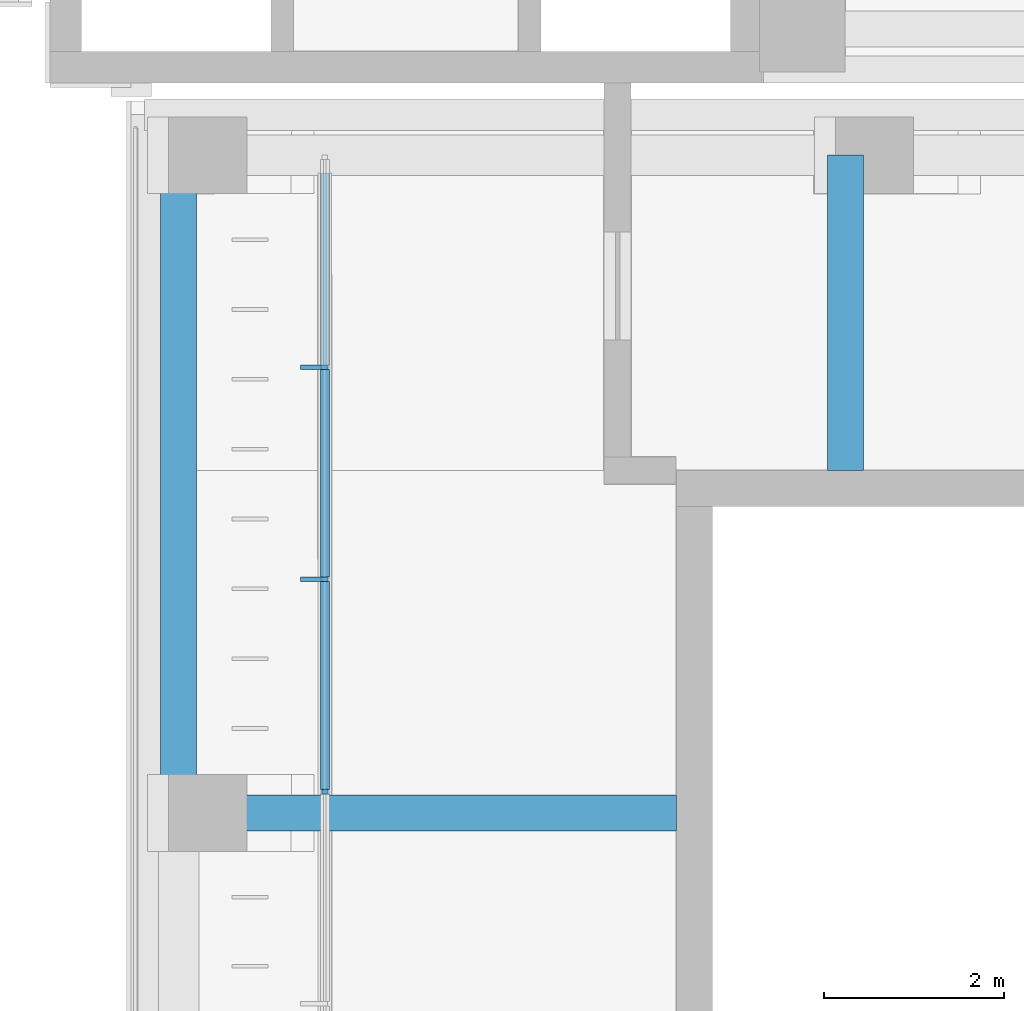
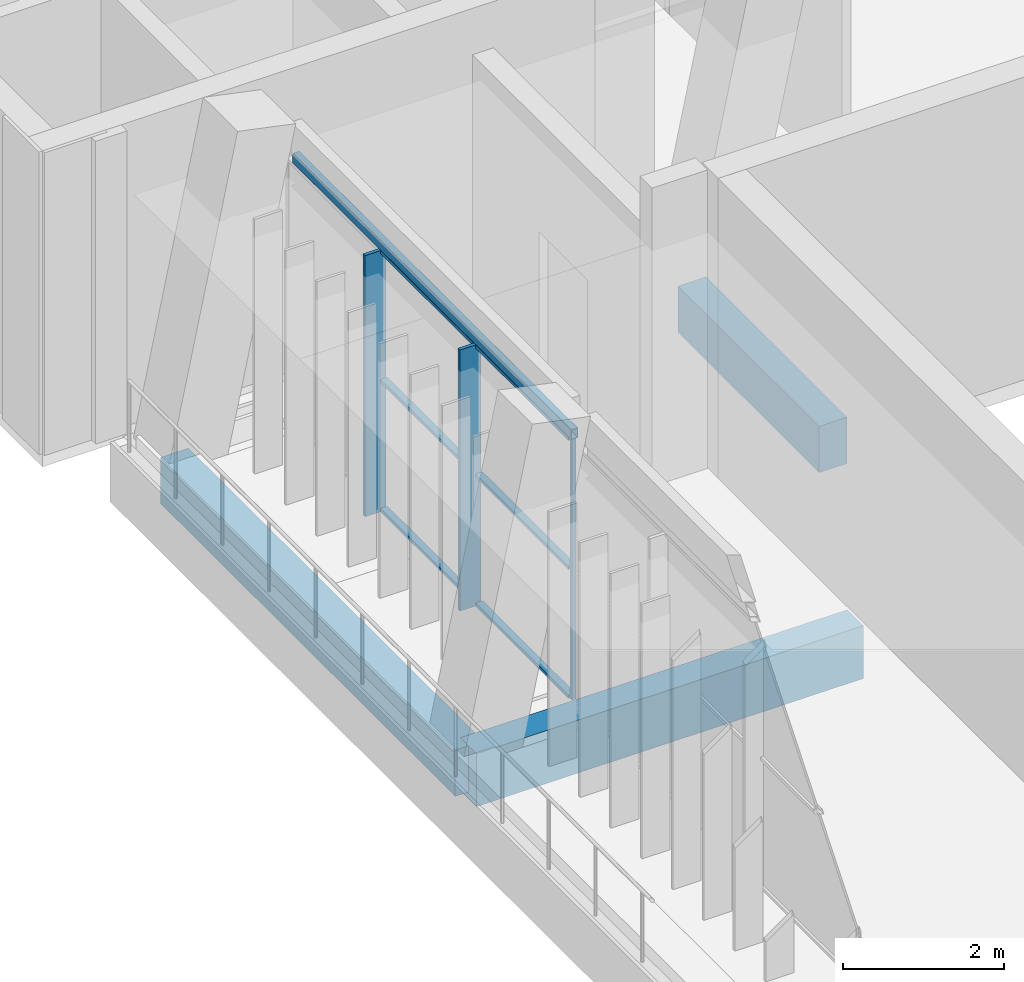
# One storey, part 42 of 92: 9 members, 4 beams, 1 element without a shape of its own.
"""IFC4 building model written with IfcOpenShell, lengths in metres."""

from ifc_helpers import new_model, si_unit, direction, frame, origin, origin_2d, place, context, subcontext, project, spatial, rectangle, hollow_rectangle, extrude, material, material_profile, profile_set, type_object, element, aggregate, save


model = new_model("IFC4")

# Units and contexts
model_context = context("Model", 3, precision=1e-05, world=origin(), true_north=direction((0.0, 1.0)))
body_context = subcontext(model_context, "Body", "Model", "MODEL_VIEW")
ifc_project = project(units=[si_unit("LENGTHUNIT", "METRE"), si_unit("AREAUNIT", "SQUARE_METRE"), si_unit("VOLUMEUNIT", "CUBIC_METRE"), si_unit("PLANEANGLEUNIT", "RADIAN"), si_unit("MASSUNIT", "GRAM", prefix="KILO")], contexts=[model_context])

# Site, building, storey
site_placement = place(None, origin())
site = spatial("IfcSite", under=ifc_project, at=site_placement, CompositionType="ELEMENT")
building_placement = place(site_placement, origin())
building = spatial("IfcBuilding", under=site, at=building_placement, Name="Lantern Court Media Centre", CompositionType="ELEMENT")
storey_placement = place(building_placement, frame((0.0, 0.0, 4.800048828125)))
storey = spatial("IfcBuildingStorey", under=building, at=storey_placement, Name="L01", CompositionType="ELEMENT", Elevation=4.800048828125)

# Curtain wall, members
ifc_material_1 = material(Name="Curtain wall bay 2400")
curtain_wall_type = type_object("IfcCurtainWallType", Name="Curtain wall bay 2400", PredefinedType="NOTDEFINED", material=ifc_material_1)
curtain_wall_placement = place(storey_placement, origin())
curtain_wall = element("IfcCurtainWall", 1, at=curtain_wall_placement, inside=storey, type_object=curtain_wall_type, Name="Curtain wall E inner L01", PredefinedType="NOTDEFINED")
ifc_material_2 = material(Name="Anodised aluminium", Category="aluminium")
ifc_material_profile_1 = material_profile(ifc_material_2, rectangle(XDim=0.300048828125, YDim=0.050048828125, at=origin_2d()), Name="AL 50x300")
ifc_profile_set_1 = profile_set([ifc_material_profile_1], Name="Anodised aluminium")
member_type_1 = type_object("IfcMemberType", Name="Curtain wall mullion 50x300", PredefinedType="MULLION", material=ifc_profile_set_1)
member_1_placement = place(storey_placement, frame((83.030029296875, 90.59228515625, 0.0), z_axis=(0.0, 0.0, 1.0), x_axis=(-1.0, 0.0, 0.0)))
member_1 = element("IfcMember", 2, at=member_1_placement, type_object=member_type_1, Name="CW2 mullion 12", PredefinedType="MULLION", context=body_context, shape_type="SweptSolid", body=[
    extrude(rectangle(XDim=0.300048828125, YDim=0.050048828125, at=origin_2d()), origin(), (0.0, 0.0, 1.0), 3.949951171875),
])
member_2_placement = place(storey_placement, frame((83.030029296875, 92.946044921875, 0.0), z_axis=(0.0, 0.0, 1.0), x_axis=(-1.0, 0.0, 0.0)))
member_2 = element("IfcMember", 3, at=member_2_placement, type_object=member_type_1, Name="CW2 mullion 13", PredefinedType="MULLION", context=body_context, shape_type="SweptSolid", body=[
    extrude(rectangle(XDim=0.300048828125, YDim=0.050048828125, at=origin_2d()), origin(), (0.0, 0.0, 1.0), 3.949951171875),
])
ifc_material_profile_2 = material_profile(ifc_material_2, rectangle(XDim=0.06005859375, YDim=0.050048828125, at=origin_2d()), Name="AL 50x60")
ifc_profile_set_2 = profile_set([ifc_material_profile_2], Name="Anodised aluminium")
member_type_2 = type_object("IfcMemberType", Name="Curtain wall mullion 50x60", PredefinedType="MULLION", material=ifc_profile_set_2)
member_3_placement = place(storey_placement, frame((83.14990234375, 88.238525390625, 0.0), z_axis=(0.0, 0.0, 1.0), x_axis=(-1.0, 0.0, 0.0)))
member_3 = element("IfcMember", 4, at=member_3_placement, type_object=member_type_2, Name="CW2 mullion 11", PredefinedType="MULLION", context=body_context, shape_type="SweptSolid", body=[
    extrude(rectangle(XDim=0.06005859375, YDim=0.050048828125, at=origin_2d()), origin(), (0.0, 0.0, 1.0), 3.949951171875),
])
ifc_material_profile_3 = material_profile(ifc_material_2, rectangle(XDim=0.10009765625, YDim=0.050048828125, at=origin_2d()), Name="AL 50x100")
ifc_profile_set_3 = profile_set([ifc_material_profile_3], Name="Anodised aluminium")
member_type_3 = type_object("IfcMemberType", Name="Curtain wall transom 100x50", PredefinedType="USERDEFINED", material=ifc_profile_set_3)
member_4_placement = place(storey_placement, frame((83.14990234375, 88.263427734375, 0.02490234375), z_axis=(0.0, 1.0, 0.0), x_axis=(-1.0, 0.0, 0.0)))
member_4 = element("IfcMember", 5, at=member_4_placement, type_object=member_type_3, Name="CW2 transom 11.1", ObjectType="TRANSOM", PredefinedType="USERDEFINED", context=body_context, shape_type="SweptSolid", body=[
    extrude(rectangle(XDim=0.10009765625, YDim=0.050048828125, at=origin_2d()), origin(), (0.0, 0.0, 1.0), 2.303955078125),
])
member_5_placement = place(storey_placement, frame((83.14990234375, 88.263427734375, 1.974853515625), z_axis=(0.0, 1.0, 0.0), x_axis=(-1.0, 0.0, 0.0)))
member_5 = element("IfcMember", 6, at=member_5_placement, type_object=member_type_3, Name="CW2 transom 11.2", ObjectType="TRANSOM", PredefinedType="USERDEFINED", context=body_context, shape_type="SweptSolid", body=[
    extrude(rectangle(XDim=0.10009765625, YDim=0.050048828125, at=origin_2d()), origin(), (0.0, 0.0, 1.0), 2.303955078125),
])
member_6_placement = place(storey_placement, frame((83.14990234375, 88.263427734375, 3.925048828125), z_axis=(0.0, 1.0, 0.0), x_axis=(-1.0, 0.0, 0.0)))
member_6 = element("IfcMember", 7, at=member_6_placement, type_object=member_type_3, Name="CW2 transom 11.3", ObjectType="TRANSOM", PredefinedType="USERDEFINED", context=body_context, shape_type="SweptSolid", body=[
    extrude(rectangle(XDim=0.10009765625, YDim=0.050048828125, at=origin_2d()), origin(), (0.0, 0.0, 1.0), 2.303955078125),
])
member_7_placement = place(storey_placement, frame((83.14990234375, 90.6171875, 0.02490234375), z_axis=(0.0, 1.0, 0.0), x_axis=(-1.0, 0.0, 0.0)))
member_7 = element("IfcMember", 8, at=member_7_placement, type_object=member_type_3, Name="CW2 transom 12.1", ObjectType="TRANSOM", PredefinedType="USERDEFINED", context=body_context, shape_type="SweptSolid", body=[
    extrude(rectangle(XDim=0.10009765625, YDim=0.050048828125, at=origin_2d()), origin(), (0.0, 0.0, 1.0), 2.303955078125),
])
member_8_placement = place(storey_placement, frame((83.14990234375, 90.6171875, 1.974853515625), z_axis=(0.0, 1.0, 0.0), x_axis=(-1.0, 0.0, 0.0)))
member_8 = element("IfcMember", 9, at=member_8_placement, type_object=member_type_3, Name="CW2 transom 12.2", ObjectType="TRANSOM", PredefinedType="USERDEFINED", context=body_context, shape_type="SweptSolid", body=[
    extrude(rectangle(XDim=0.10009765625, YDim=0.050048828125, at=origin_2d()), origin(), (0.0, 0.0, 1.0), 2.303955078125),
])
member_9_placement = place(storey_placement, frame((83.14990234375, 90.6171875, 3.925048828125), z_axis=(0.0, 1.0, 0.0), x_axis=(-1.0, 0.0, 0.0)))
member_9 = element("IfcMember", 10, at=member_9_placement, type_object=member_type_3, Name="CW2 transom 12.3", ObjectType="TRANSOM", PredefinedType="USERDEFINED", context=body_context, shape_type="SweptSolid", body=[
    extrude(rectangle(XDim=0.10009765625, YDim=0.050048828125, at=origin_2d()), origin(), (0.0, 0.0, 1.0), 2.303955078125),
])
aggregate(curtain_wall, [member_3, member_1, member_2, member_4, member_5, member_6, member_7, member_8, member_9])

# Beams
ifc_material_3 = material(Name="Steel S355J2 (EN 10025-2)", Category="steel")
ifc_material_profile_4 = material_profile(ifc_material_3, hollow_rectangle(XDim=0.10009765625, YDim=0.14990234375, WallThickness=0.00634765625, InnerFilletRadius=0.00634765625, OuterFilletRadius=0.009521484375, at=origin_2d()), Name="Facade head lintel RHS 150x100x6.3")
ifc_profile_set_4 = profile_set([ifc_material_profile_4], Name="Steel S355J2 (EN 10025-2)")
beam_type_1 = type_object("IfcBeamType", Name="Facade head lintel RHS 150x100x6.3", PredefinedType="BEAM", material=ifc_profile_set_4)
beam_1_placement = place(storey_placement, frame((83.14990234375, 88.199951171875, 4.02490234375), z_axis=(0.0, 1.0, 0.0), x_axis=(-1.0, 0.0, 0.0)))
element("IfcBeam", 11, at=beam_1_placement, inside=storey, type_object=beam_type_1, Name="Facade head lintel E L01", PredefinedType="BEAM", context=body_context, shape_type="SweptSolid", body=[
    extrude(hollow_rectangle(XDim=0.10009765625, YDim=0.14990234375, WallThickness=0.00634765625, InnerFilletRadius=0.00634765625, OuterFilletRadius=0.009521484375, at=origin_2d()), origin(), (0.0, 0.0, 1.0), 6.900146484375),
])
ifc_material_4 = material(Name="Concrete C35", Category="concrete")
ifc_material_profile_5 = material_profile(ifc_material_4, rectangle(XDim=0.39990234375, YDim=0.699951171875, at=origin_2d()), Name="RC 400x700")
ifc_profile_set_5 = profile_set([ifc_material_profile_5], Name="Concrete C35")
beam_type_2 = type_object("IfcBeamType", Name="RC BEAM 400x700", PredefinedType="BEAM", material=ifc_profile_set_5)
beam_2_placement = place(storey_placement, frame((81.527099609375, 88.0, -0.35009765625), z_axis=(0.0, 1.0, 0.0), x_axis=(-1.0, 0.0, 0.0)))
element("IfcBeam", 12, at=beam_2_placement, inside=storey, type_object=beam_type_2, Name="LB-E-L01-0-3", PredefinedType="BEAM", context=body_context, shape_type="SweptSolid", body=[
    extrude(rectangle(XDim=0.39990234375, YDim=0.699951171875, at=origin_2d()), origin(), (0.0, 0.0, 1.0), 7.300048828125),
])
beam_3_placement = place(storey_placement, frame((88.927001953125, 91.800048828125, -0.35009765625), z_axis=(0.0, 1.0, 0.0), x_axis=(-1.0, 0.0, 0.0)))
element("IfcBeam", 13, at=beam_3_placement, inside=storey, type_object=beam_type_2, Name="LB-E-L01-1-11", PredefinedType="BEAM", context=body_context, shape_type="SweptSolid", body=[
    extrude(rectangle(XDim=0.39990234375, YDim=0.699951171875, at=origin_2d()), origin(), (0.0, 0.0, 1.0), 3.5),
])
ifc_material_profile_6 = material_profile(ifc_material_4, rectangle(XDim=0.39990234375, YDim=0.800048828125, at=origin_2d()), Name="RC 400x800")
ifc_profile_set_6 = profile_set([ifc_material_profile_6], Name="Concrete C35")
beam_type_3 = type_object("IfcBeamType", Name="RC BEAM 400x800", PredefinedType="BEAM", material=ifc_profile_set_6)
beam_4_placement = place(storey_placement, frame((81.5166015625, 88.0, -0.400146484375), z_axis=(1.0, 0.0, 0.0), x_axis=(0.0, 1.0, 0.0)))
element("IfcBeam", 14, at=beam_4_placement, inside=storey, type_object=beam_type_3, Name="TB-E-L01-3-1", PredefinedType="BEAM", context=body_context, shape_type="SweptSolid", body=[
    extrude(rectangle(XDim=0.39990234375, YDim=0.800048828125, at=origin_2d()), origin(), (0.0, 0.0, 1.0), 5.533447265625),
])

save(model, "model.ifc")
